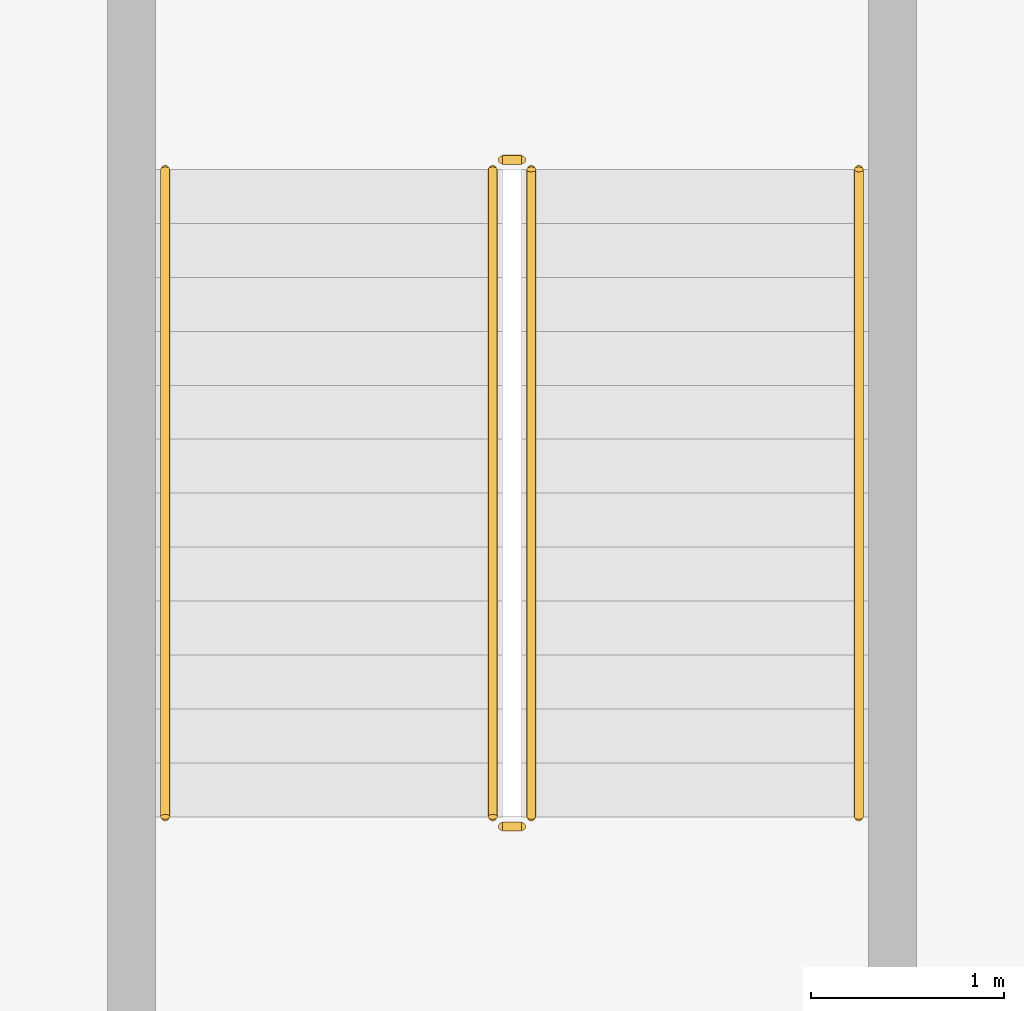
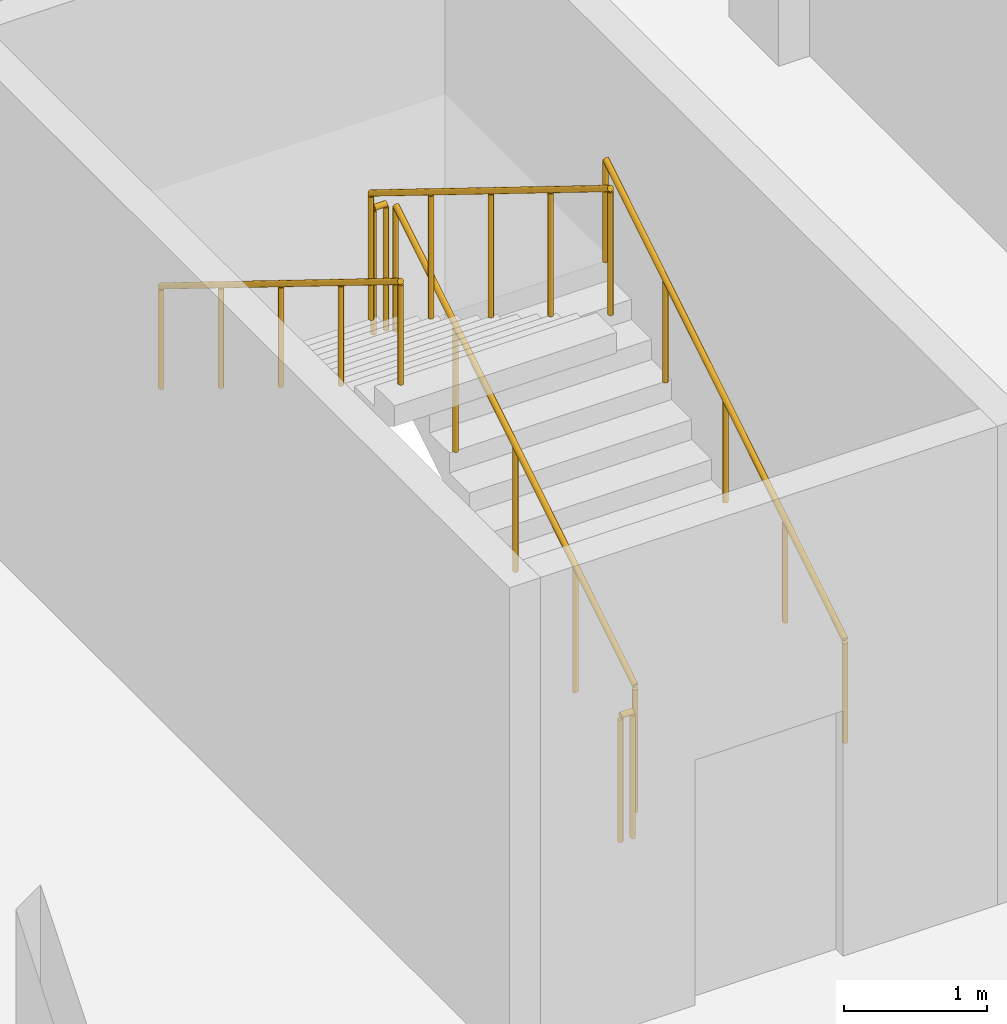
# One storey, part 33 of 36: 6 railings.
"""IFC4 building model written with IfcOpenShell, lengths in metres."""

from ifc_helpers import new_model, si_unit, direction, frame, origin, origin_2d, place, context, subcontext, project, spatial, circle, extrude, material, type_object, element, save


model = new_model("IFC4")

# Units and contexts
model_context = context("Model", 3, precision=1e-05, world=origin(), true_north=direction((0.0, 1.0)))
body_context = subcontext(model_context, "Body", "Model", "MODEL_VIEW")
ifc_project = project(units=[si_unit("LENGTHUNIT", "METRE"), si_unit("AREAUNIT", "SQUARE_METRE"), si_unit("VOLUMEUNIT", "CUBIC_METRE"), si_unit("PLANEANGLEUNIT", "RADIAN"), si_unit("MASSUNIT", "GRAM", prefix="KILO")], contexts=[model_context])

# Site, building, storey
site_placement = place(None, origin())
site = spatial("IfcSite", under=ifc_project, at=site_placement, CompositionType="ELEMENT")
building_placement = place(site_placement, origin())
building = spatial("IfcBuilding", under=site, at=building_placement, Name="Kilnfold Tower and Market Hall", CompositionType="ELEMENT")
storey_placement = place(building_placement, frame((0.0, 0.0, 18.0)))
storey = spatial("IfcBuildingStorey", under=building, at=storey_placement, Name="L03", CompositionType="ELEMENT", Elevation=18.0)

# Railings
ifc_material_1 = material(Name="Steel S355", Category="steel")
railing_type_1 = type_object("IfcRailingType", Name="HALL STAIR GUARD 1100", PredefinedType="GUARDRAIL", material=ifc_material_1)
railing_1_placement = place(storey_placement, frame((-12.550048828125, 46.699951171875, 0.173095703125)))
element("IfcRailing", 1, at=railing_1_placement, inside=storey, type_object=railing_type_1, Name="L03 MS4 stair guard 1", PredefinedType="GUARDRAIL", context=body_context, shape_type="SweptSolid", body=[
    extrude(circle(Radius=0.02392578125, at=origin_2d()), frame((0.0, 0.0, 1.076171875), z_axis=(0.0, 0.850623216509, 0.525775754039), x_axis=(-1.0, 0.0, 0.0)), (0.0, 0.0, 1.0), 3.9501953125),
    extrude(circle(Radius=0.02099609375, at=origin_2d()), origin(), (0.0, 0.0, 1.0), 1.052001953125),
    extrude(circle(Radius=0.02099609375, at=origin_2d()), frame((0.0, 0.840087890625, 0.519287109375)), (0.0, 0.0, 1.0), 1.052001953125),
    extrude(circle(Radius=0.02099609375, at=origin_2d()), frame((0.0, 1.68017578125, 1.03857421875)), (0.0, 0.0, 1.0), 1.052001953125),
    extrude(circle(Radius=0.02099609375, at=origin_2d()), frame((0.0, 2.52001953125, 1.5576171875)), (0.0, 0.0, 1.0), 1.052001953125),
    extrude(circle(Radius=0.02099609375, at=origin_2d()), frame((0.0, 3.360107421875, 2.076904296875)), (0.0, 0.0, 1.0), 1.052001953125),
])
railing_2_placement = place(storey_placement, frame((-12.60009765625, 50.110107421875, 2.25)))
element("IfcRailing", 2, at=railing_2_placement, inside=storey, type_object=railing_type_1, Name="L03 MS4 stair guard 2", PredefinedType="GUARDRAIL", context=body_context, shape_type="SweptSolid", body=[
    extrude(circle(Radius=0.02392578125, at=origin_2d()), frame((0.0, 0.0, 1.076171875), z_axis=(-1.0, 0.0, 0.0), x_axis=(0.0, -1.0, 0.0)), (0.0, 0.0, 1.0), 0.099853515625),
    extrude(circle(Radius=0.02099609375, at=origin_2d()), origin(), (0.0, 0.0, 1.0), 1.052001953125),
    extrude(circle(Radius=0.02099609375, at=origin_2d()), frame((-0.099853515625, 0.0, 0.0)), (0.0, 0.0, 1.0), 1.052001953125),
])
railing_3_placement = place(storey_placement, frame((-12.75, 50.06005859375, 2.423095703125)))
element("IfcRailing", 3, at=railing_3_placement, inside=storey, type_object=railing_type_1, Name="L03 MS4 stair guard 3", PredefinedType="GUARDRAIL", context=body_context, shape_type="SweptSolid", body=[
    extrude(circle(Radius=0.02392578125, at=origin_2d()), frame((0.0, 0.0, 1.076171875), z_axis=(0.0, -0.850623216509, 0.525775754039), x_axis=(1.0, 0.0, 0.0)), (0.0, 0.0, 1.0), 3.9501953125),
    extrude(circle(Radius=0.02099609375, at=origin_2d()), origin(), (0.0, 0.0, 1.0), 1.052001953125),
    extrude(circle(Radius=0.02099609375, at=origin_2d()), frame((0.0, -0.840087890625, 0.519287109375)), (0.0, 0.0, 1.0), 1.052001953125),
    extrude(circle(Radius=0.02099609375, at=origin_2d()), frame((0.0, -1.68017578125, 1.03857421875)), (0.0, 0.0, 1.0), 1.052001953125),
    extrude(circle(Radius=0.02099609375, at=origin_2d()), frame((0.0, -2.52001953125, 1.5576171875)), (0.0, 0.0, 1.0), 1.052001953125),
    extrude(circle(Radius=0.02099609375, at=origin_2d()), frame((0.0, -3.360107421875, 2.076904296875)), (0.0, 0.0, 1.0), 1.052001953125),
])
railing_4_placement = place(storey_placement, frame((-12.60009765625, 46.64990234375, 0.0)))
element("IfcRailing", 4, at=railing_4_placement, inside=storey, type_object=railing_type_1, Name="L03 MS4 stair guard 4", PredefinedType="GUARDRAIL", context=body_context, shape_type="SweptSolid", body=[
    extrude(circle(Radius=0.02392578125, at=origin_2d()), frame((0.0, 0.0, 1.076171875), z_axis=(-1.0, 0.0, 0.0), x_axis=(0.0, -1.0, 0.0)), (0.0, 0.0, 1.0), 0.099853515625),
    extrude(circle(Radius=0.02099609375, at=origin_2d()), origin(), (0.0, 0.0, 1.0), 1.052001953125),
    extrude(circle(Radius=0.02099609375, at=origin_2d()), frame((-0.099853515625, 0.0, 0.0)), (0.0, 0.0, 1.0), 1.052001953125),
])
ifc_material_2 = material(Name="Steel S355", Category="steel")
railing_type_2 = type_object("IfcRailingType", Name="HALL STAIR HANDRAIL", PredefinedType="HANDRAIL", material=ifc_material_2)
railing_5_placement = place(storey_placement, frame((-10.85009765625, 46.699951171875, 0.173095703125)))
element("IfcRailing", 5, at=railing_5_placement, inside=storey, type_object=railing_type_2, Name="L03 MS4 stair handrail 1", PredefinedType="HANDRAIL", context=body_context, shape_type="SweptSolid", body=[
    extrude(circle(Radius=0.02392578125, at=origin_2d()), frame((0.0, 0.0, 0.8759765625), z_axis=(0.0, 0.850623216509, 0.525775754039), x_axis=(-1.0, 0.0, 0.0)), (0.0, 0.0, 1.0), 3.9501953125),
    extrude(circle(Radius=0.02099609375, at=origin_2d()), origin(), (0.0, 0.0, 1.0), 0.851806640625),
    extrude(circle(Radius=0.02099609375, at=origin_2d()), frame((0.0, 0.840087890625, 0.519287109375)), (0.0, 0.0, 1.0), 0.851806640625),
    extrude(circle(Radius=0.02099609375, at=origin_2d()), frame((0.0, 1.68017578125, 1.03857421875)), (0.0, 0.0, 1.0), 0.851806640625),
    extrude(circle(Radius=0.02099609375, at=origin_2d()), frame((0.0, 2.52001953125, 1.5576171875)), (0.0, 0.0, 1.0), 0.851806640625),
    extrude(circle(Radius=0.02099609375, at=origin_2d()), frame((0.0, 3.360107421875, 2.076904296875)), (0.0, 0.0, 1.0), 0.851806640625),
])
railing_6_placement = place(storey_placement, frame((-14.449951171875, 50.06005859375, 2.423095703125)))
element("IfcRailing", 6, at=railing_6_placement, inside=storey, type_object=railing_type_2, Name="L03 MS4 stair handrail 2", PredefinedType="HANDRAIL", context=body_context, shape_type="SweptSolid", body=[
    extrude(circle(Radius=0.02392578125, at=origin_2d()), frame((0.0, 0.0, 0.8759765625), z_axis=(0.0, -0.850623216509, 0.525775754039), x_axis=(1.0, 0.0, 0.0)), (0.0, 0.0, 1.0), 3.9501953125),
    extrude(circle(Radius=0.02099609375, at=origin_2d()), origin(), (0.0, 0.0, 1.0), 0.851806640625),
    extrude(circle(Radius=0.02099609375, at=origin_2d()), frame((0.0, -0.840087890625, 0.519287109375)), (0.0, 0.0, 1.0), 0.851806640625),
    extrude(circle(Radius=0.02099609375, at=origin_2d()), frame((0.0, -1.68017578125, 1.03857421875)), (0.0, 0.0, 1.0), 0.851806640625),
    extrude(circle(Radius=0.02099609375, at=origin_2d()), frame((0.0, -2.52001953125, 1.5576171875)), (0.0, 0.0, 1.0), 0.851806640625),
    extrude(circle(Radius=0.02099609375, at=origin_2d()), frame((0.0, -3.360107421875, 2.076904296875)), (0.0, 0.0, 1.0), 0.851806640625),
])

save(model, "model.ifc")
